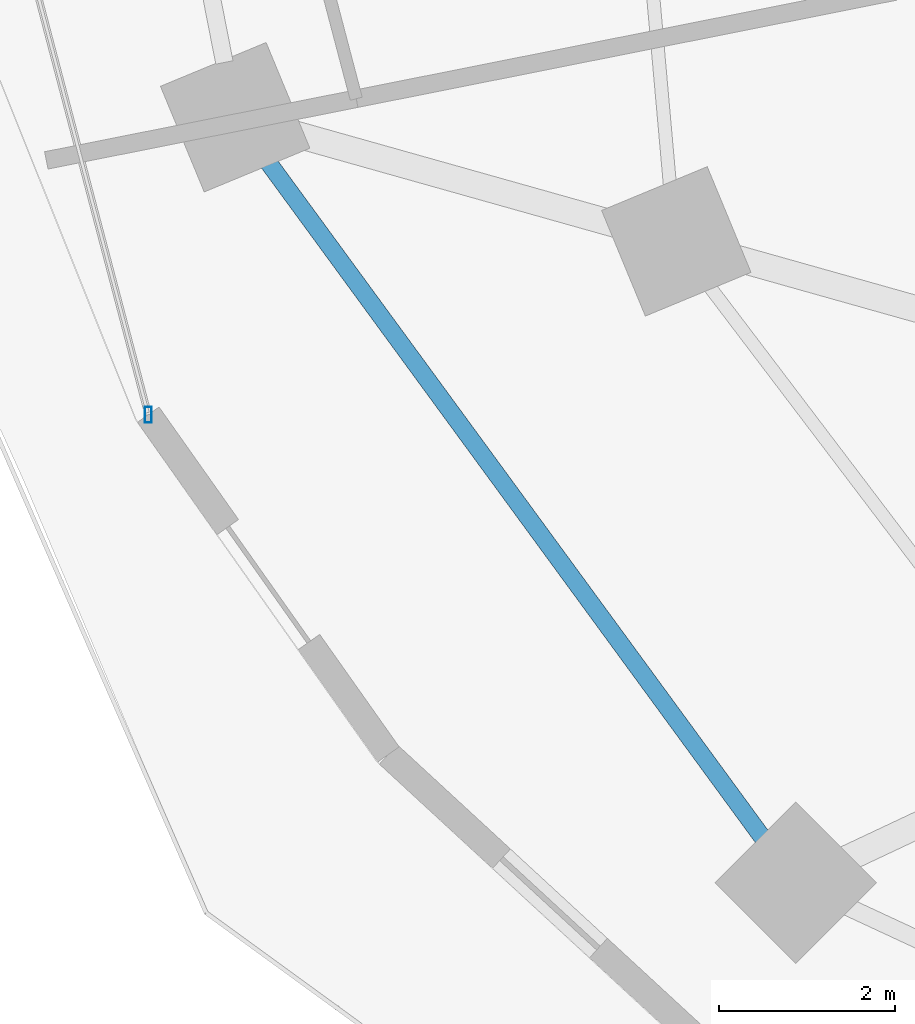
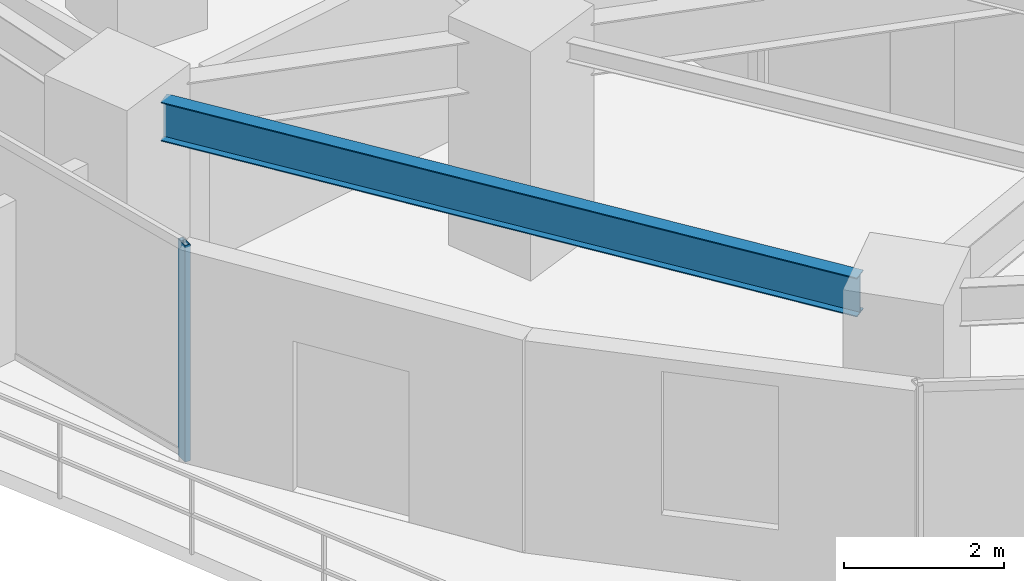
# One storey, part 3 of 33: 1 beam, 1 member, 1 element without a shape of its own.
"""IFC4 building model written with IfcOpenShell, lengths in metres."""

from ifc_helpers import new_model, si_unit, direction, frame, origin, origin_2d, place, context, subcontext, project, spatial, hollow_rectangle, i_section, extrude, material, material_profile, profile_set, type_object, element, aggregate, save


model = new_model("IFC4")

# Units and contexts
model_context = context("Model", 3, precision=1e-05, world=origin(), true_north=direction((0.0, 1.0)))
body_context = subcontext(model_context, "Body", "Model", "MODEL_VIEW")
ifc_project = project(units=[si_unit("LENGTHUNIT", "METRE"), si_unit("AREAUNIT", "SQUARE_METRE"), si_unit("VOLUMEUNIT", "CUBIC_METRE"), si_unit("PLANEANGLEUNIT", "RADIAN"), si_unit("MASSUNIT", "GRAM", prefix="KILO")], contexts=[model_context])

# Site, building, storey
site_placement = place(None, origin())
site = spatial("IfcSite", under=ifc_project, at=site_placement, CompositionType="ELEMENT")
building_placement = place(site_placement, origin())
building = spatial("IfcBuilding", under=site, at=building_placement, Name="Vorneva Point Tower", CompositionType="ELEMENT")
storey_placement = place(building_placement, frame((0.0, 0.0, 34.5)))
storey = spatial("IfcBuildingStorey", under=building, at=storey_placement, Name="L08", CompositionType="ELEMENT", Elevation=34.5)

# Beam
ifc_material_1 = material(Name="Steel S355", Category="steel")
ifc_material_profile_1 = material_profile(ifc_material_1, i_section(OverallWidth=0.198974609375, OverallDepth=0.595947265625, WebThickness=0.010009765625, FlangeThickness=0.014892578125, at=origin_2d()), Name="60B1")
ifc_profile_set_1 = profile_set([ifc_material_profile_1], Name="Steel S355")
beam_type = type_object("IfcBeamType", Name="BM-SPN-60B1", PredefinedType="SPANDREL", material=ifc_profile_set_1)
beam_placement = place(storey_placement, frame((12.063232421875, 20.317138671875, 2.94189453125), z_axis=(0.59073079975, -0.806868714369, 0.0), x_axis=(0.806868714369, 0.59073079975, 0.0)))
element("IfcBeam", 1, at=beam_placement, inside=storey, type_object=beam_type, Name="L08 Perimeter Spandrel Ring Beam 10", PredefinedType="SPANDREL", context=body_context, shape_type="SweptSolid", body=[
    extrude(i_section(OverallWidth=0.198974609375, OverallDepth=0.595947265625, WebThickness=0.010009765625, FlangeThickness=0.014892578125, at=origin_2d()), origin(), (0.0, 0.0, 1.0), 9.518798828125),
])

# Curtain wall, member
ifc_material_2 = material(Name="Pale anodised aluminium", Category="aluminium")
curtain_wall_type = type_object("IfcCurtainWallType", Name="CW-HTL-SYS", PredefinedType="NOTDEFINED", material=ifc_material_2)
curtain_wall_placement = place(storey_placement, origin())
curtain_wall = element("IfcCurtainWall", 2, at=curtain_wall_placement, inside=storey, type_object=curtain_wall_type, Name="L08 Unitised Curtain Wall CW-L08-R03", PredefinedType="NOTDEFINED")
ifc_material_profile_2 = material_profile(ifc_material_2, hollow_rectangle(XDim=0.074951171875, YDim=0.179931640625, WallThickness=0.00390625, at=origin_2d()), Name="AL-MUL 180x75x4")
ifc_profile_set_2 = profile_set([ifc_material_profile_2], Name="Pale anodised aluminium")
member_type = type_object("IfcMemberType", Name="CW-MUL-180", PredefinedType="MULLION", material=ifc_profile_set_2)
member_placement = place(storey_placement, frame((10.699462890625, 17.447021484375, -0.0400390625), z_axis=(0.0, 0.0, 1.0), x_axis=(1.0, 0.0, 0.0)))
member = element("IfcMember", 3, at=member_placement, type_object=member_type, Name="CW-L08-R03 Mullion 04", PredefinedType="MULLION", context=body_context, shape_type="SweptSolid", body=[
    extrude(hollow_rectangle(XDim=0.074951171875, YDim=0.179931640625, WallThickness=0.00390625, at=origin_2d()), origin(), (0.0, 0.0, 1.0), 3.31005859375),
])
aggregate(curtain_wall, [member])

save(model, "model.ifc")
